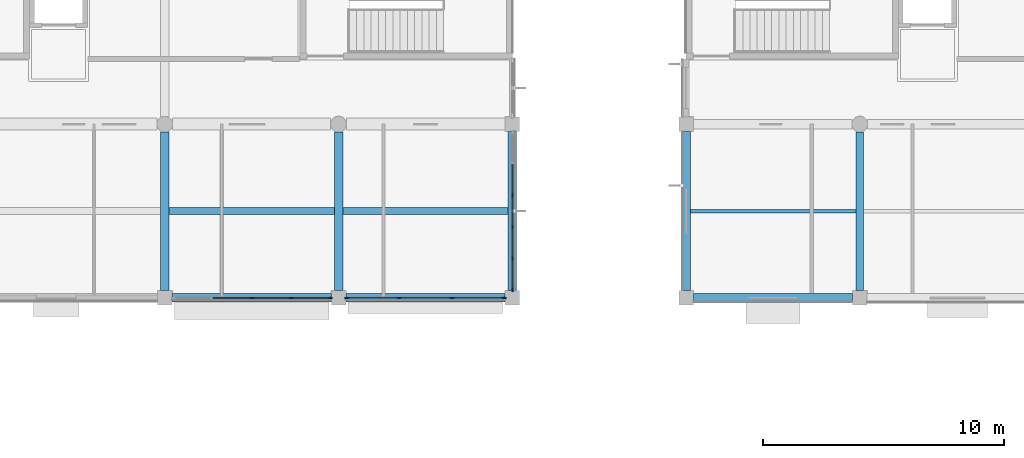
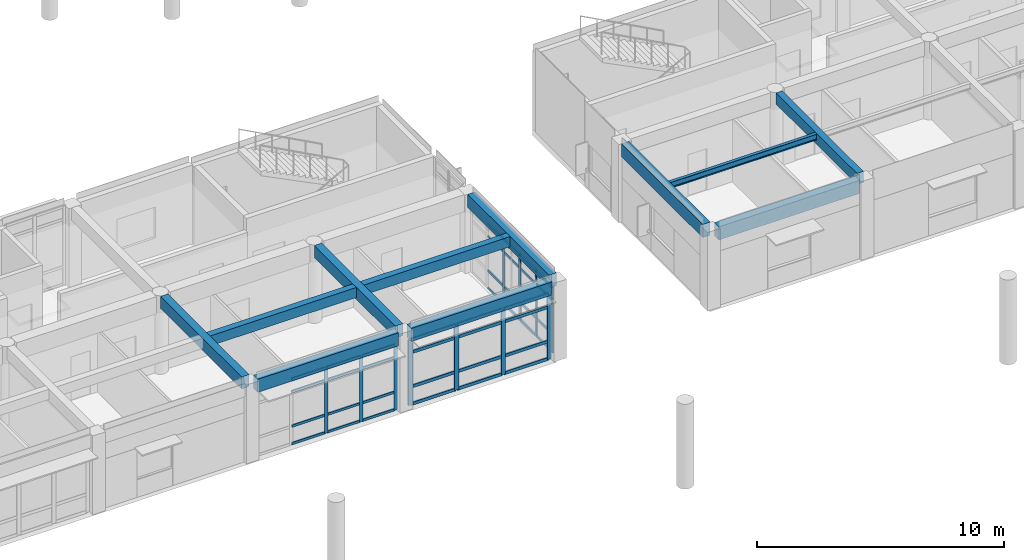
# One storey, part 5 of 55: 51 members, 11 beams, 3 elements without a shape of their own.
"""IFC4 building model written with IfcOpenShell, lengths in metres."""

from ifc_helpers import new_model, si_unit, direction, frame, origin, origin_2d, place, context, subcontext, project, spatial, rectangle, i_section, extrude, material, layer, layer_set, material_profile, profile_set, type_object, element, aggregate, save


model = new_model("IFC4")

# Units and contexts
model_context = context("Model", 3, precision=1e-05, world=origin(), true_north=direction((0.0, 1.0)))
body_context = subcontext(model_context, "Body", "Model", "MODEL_VIEW")
ifc_project = project(units=[si_unit("LENGTHUNIT", "METRE"), si_unit("AREAUNIT", "SQUARE_METRE"), si_unit("VOLUMEUNIT", "CUBIC_METRE"), si_unit("PLANEANGLEUNIT", "RADIAN"), si_unit("MASSUNIT", "GRAM", prefix="KILO")], contexts=[model_context])

# Site, building, storey
site_placement = place(None, origin())
site = spatial("IfcSite", under=ifc_project, at=site_placement, CompositionType="ELEMENT")
building_placement = place(site_placement, origin())
building = spatial("IfcBuilding", under=site, at=building_placement, Name="Namkhue Oval Health Centre", CompositionType="ELEMENT")
storey_placement = place(building_placement, frame((0.0, 0.0, 9.60009765625)))
storey = spatial("IfcBuildingStorey", under=building, at=storey_placement, Name="L02", CompositionType="ELEMENT", Elevation=9.60009765625)

# Curtain wall, members
ifc_material_1 = material(Name="Anodised aluminium EN AW-6063 T6", Category="aluminium")
ifc_layer_1 = layer(ifc_material_1, 0.159912109375)
ifc_layer_set_1 = layer_set([ifc_layer_1], Name="Anodised aluminium EN AW-6063 T6")
curtain_wall_type_1 = type_object("IfcCurtainWallType", Name="UNITISED CURTAIN WALL M1800", PredefinedType="NOTDEFINED", material=ifc_layer_set_1)
curtain_wall_1_placement = place(storey_placement, origin())
curtain_wall_1 = element("IfcCurtainWall", 1, at=curtain_wall_1_placement, inside=storey, type_object=curtain_wall_type_1, Name="Volume V4 L02 Unitised Curtain Wall 161", PredefinedType="NOTDEFINED")
ifc_material_profile_1 = material_profile(ifc_material_1, rectangle(XDim=0.06494140625, YDim=0.159912109375, at=origin_2d()), Name="ALU 65x160")
ifc_profile_set_1 = profile_set([ifc_material_profile_1], Name="Anodised aluminium EN AW-6063 T6")
member_type_1 = type_object("IfcMemberType", Name="CURTAIN WALL MULLION 65X160", PredefinedType="MULLION", material=ifc_profile_set_1)
member_1_placement = place(storey_placement, frame((75.60009765625, 14.39990234375, 0.0), z_axis=(0.0, 0.0, 1.0), x_axis=(0.0, 1.0, 0.0)))
member_1 = element("IfcMember", 2, at=member_1_placement, type_object=member_type_1, Name="CW-05 mullion 3", PredefinedType="MULLION", context=body_context, shape_type="SweptSolid", body=[
    extrude(rectangle(XDim=0.06494140625, YDim=0.159912109375, at=origin_2d()), origin(), (0.0, 0.0, 1.0), 3.25),
])
member_2_placement = place(storey_placement, frame((77.244384765625, 14.39990234375, 0.0), z_axis=(0.0, 0.0, 1.0), x_axis=(0.0, 1.0, 0.0)))
member_2 = element("IfcMember", 3, at=member_2_placement, type_object=member_type_1, Name="CW-05 mullion 4", PredefinedType="MULLION", context=body_context, shape_type="SweptSolid", body=[
    extrude(rectangle(XDim=0.06494140625, YDim=0.159912109375, at=origin_2d()), origin(), (0.0, 0.0, 1.0), 3.25),
])
member_3_placement = place(storey_placement, frame((78.8564453125, 14.39990234375, 0.0), z_axis=(0.0, 0.0, 1.0), x_axis=(0.0, 1.0, 0.0)))
member_3 = element("IfcMember", 4, at=member_3_placement, type_object=member_type_1, Name="CW-05 mullion 5", PredefinedType="MULLION", context=body_context, shape_type="SweptSolid", body=[
    extrude(rectangle(XDim=0.06494140625, YDim=0.159912109375, at=origin_2d()), origin(), (0.0, 0.0, 1.0), 3.25),
])

ifc_layer_2 = layer(ifc_material_1, 0.159912109375)
ifc_layer_set_2 = layer_set([ifc_layer_2], Name="Anodised aluminium EN AW-6063 T6")
curtain_wall_type_2 = type_object("IfcCurtainWallType", Name="UNITISED CURTAIN WALL M1200", PredefinedType="NOTDEFINED", material=ifc_layer_set_2)
curtain_wall_2_placement = place(storey_placement, origin())
curtain_wall_2 = element("IfcCurtainWall", 5, at=curtain_wall_2_placement, inside=storey, type_object=curtain_wall_type_2, Name="Volume V4 L02 Unitised Curtain Wall 163", PredefinedType="NOTDEFINED")
member_4_placement = place(storey_placement, frame((86.39990234375, 14.743408203125, 0.0), z_axis=(0.0, 0.0, 1.0), x_axis=(-1.0, 0.0, 0.0)))
member_4 = element("IfcMember", 6, at=member_4_placement, type_object=member_type_1, Name="CW-01 mullion 1", PredefinedType="MULLION", context=body_context, shape_type="SweptSolid", body=[
    extrude(rectangle(XDim=0.06494140625, YDim=0.159912109375, at=origin_2d()), origin(), (0.0, 0.0, 1.0), 3.25),
])
member_5_placement = place(storey_placement, frame((86.39990234375, 16.026611328125, 0.0), z_axis=(0.0, 0.0, 1.0), x_axis=(-1.0, 0.0, 0.0)))
member_5 = element("IfcMember", 7, at=member_5_placement, type_object=member_type_1, Name="CW-01 mullion 2", PredefinedType="MULLION", context=body_context, shape_type="SweptSolid", body=[
    extrude(rectangle(XDim=0.06494140625, YDim=0.159912109375, at=origin_2d()), origin(), (0.0, 0.0, 1.0), 3.25),
])
member_6_placement = place(storey_placement, frame((86.39990234375, 17.34228515625, 0.0), z_axis=(0.0, 0.0, 1.0), x_axis=(-1.0, 0.0, 0.0)))
member_6 = element("IfcMember", 8, at=member_6_placement, type_object=member_type_1, Name="CW-01 mullion 3", PredefinedType="MULLION", context=body_context, shape_type="SweptSolid", body=[
    extrude(rectangle(XDim=0.06494140625, YDim=0.159912109375, at=origin_2d()), origin(), (0.0, 0.0, 1.0), 3.25),
])
member_7_placement = place(storey_placement, frame((86.39990234375, 18.65771484375, 0.0), z_axis=(0.0, 0.0, 1.0), x_axis=(-1.0, 0.0, 0.0)))
member_7 = element("IfcMember", 9, at=member_7_placement, type_object=member_type_1, Name="CW-01 mullion 4", PredefinedType="MULLION", context=body_context, shape_type="SweptSolid", body=[
    extrude(rectangle(XDim=0.06494140625, YDim=0.159912109375, at=origin_2d()), origin(), (0.0, 0.0, 1.0), 3.25),
])

ifc_layer_3 = layer(ifc_material_1, 0.159912109375)
ifc_layer_set_3 = layer_set([ifc_layer_3], Name="Anodised aluminium EN AW-6063 T6")
curtain_wall_type_3 = type_object("IfcCurtainWallType", Name="UNITISED CURTAIN WALL M2000", PredefinedType="NOTDEFINED", material=ifc_layer_set_3)
curtain_wall_3_placement = place(storey_placement, origin())
curtain_wall_3 = element("IfcCurtainWall", 10, at=curtain_wall_3_placement, inside=storey, type_object=curtain_wall_type_3, Name="Volume V4 L02 Unitised Curtain Wall 162", PredefinedType="NOTDEFINED")
ifc_material_profile_2 = material_profile(ifc_material_1, rectangle(XDim=0.074951171875, YDim=0.199951171875, at=origin_2d()), Name="ALU 75x200")
ifc_profile_set_2 = profile_set([ifc_material_profile_2], Name="Anodised aluminium EN AW-6063 T6")
member_type_2 = type_object("IfcMemberType", Name="CURTAIN WALL MULLION 75X200", PredefinedType="MULLION", material=ifc_profile_set_2)
member_8_placement = place(storey_placement, frame((79.548583984375, 14.39990234375, 0.0), z_axis=(0.0, 0.0, 1.0), x_axis=(0.0, 1.0, 0.0)))
member_8 = element("IfcMember", 11, at=member_8_placement, type_object=member_type_2, Name="CW-06 mullion 1", PredefinedType="MULLION", context=body_context, shape_type="SweptSolid", body=[
    extrude(rectangle(XDim=0.074951171875, YDim=0.199951171875, at=origin_2d()), origin(), (0.0, 0.0, 1.0), 3.25),
])
member_9_placement = place(storey_placement, frame((81.70361328125, 14.39990234375, 0.0), z_axis=(0.0, 0.0, 1.0), x_axis=(0.0, 1.0, 0.0)))
member_9 = element("IfcMember", 12, at=member_9_placement, type_object=member_type_2, Name="CW-06 mullion 2", PredefinedType="MULLION", context=body_context, shape_type="SweptSolid", body=[
    extrude(rectangle(XDim=0.074951171875, YDim=0.199951171875, at=origin_2d()), origin(), (0.0, 0.0, 1.0), 3.25),
])
member_10_placement = place(storey_placement, frame((83.896240234375, 14.39990234375, 0.0), z_axis=(0.0, 0.0, 1.0), x_axis=(0.0, 1.0, 0.0)))
member_10 = element("IfcMember", 13, at=member_10_placement, type_object=member_type_2, Name="CW-06 mullion 3", PredefinedType="MULLION", context=body_context, shape_type="SweptSolid", body=[
    extrude(rectangle(XDim=0.074951171875, YDim=0.199951171875, at=origin_2d()), origin(), (0.0, 0.0, 1.0), 3.25),
])
member_11_placement = place(storey_placement, frame((86.051513671875, 14.39990234375, 0.0), z_axis=(0.0, 0.0, 1.0), x_axis=(0.0, 1.0, 0.0)))
member_11 = element("IfcMember", 14, at=member_11_placement, type_object=member_type_2, Name="CW-06 mullion 4", PredefinedType="MULLION", context=body_context, shape_type="SweptSolid", body=[
    extrude(rectangle(XDim=0.074951171875, YDim=0.199951171875, at=origin_2d()), origin(), (0.0, 0.0, 1.0), 3.25),
])

# Member
ifc_material_profile_3 = material_profile(ifc_material_1, rectangle(XDim=0.06494140625, YDim=0.1201171875, at=origin_2d()), Name="ALU 65x120")
ifc_profile_set_3 = profile_set([ifc_material_profile_3], Name="Anodised aluminium EN AW-6063 T6")
member_type_3 = type_object("IfcMemberType", Name="CURTAIN WALL TRANSOM 65X120", PredefinedType="USERDEFINED", material=ifc_profile_set_3)
member_12_placement = place(storey_placement, frame((73.988037109375, 14.39990234375, 0.032470703125), z_axis=(1.0, 0.0, 0.0), x_axis=(0.0, 1.0, 0.0)))
member_12 = element("IfcMember", 15, at=member_12_placement, type_object=member_type_3, Name="CW-05 transom 2.1", ObjectType="TRANSOM", PredefinedType="USERDEFINED", context=body_context, shape_type="SweptSolid", body=[
    extrude(rectangle(XDim=0.06494140625, YDim=0.1201171875, at=origin_2d()), origin(), (0.0, 0.0, 1.0), 1.579345703125),
])

member_13_placement = place(storey_placement, frame((73.988037109375, 14.39990234375, 0.89990234375), z_axis=(1.0, 0.0, 0.0), x_axis=(0.0, 1.0, 0.0)))
member_13 = element("IfcMember", 16, at=member_13_placement, type_object=member_type_3, Name="CW-05 transom 2.2", ObjectType="TRANSOM", PredefinedType="USERDEFINED", context=body_context, shape_type="SweptSolid", body=[
    extrude(rectangle(XDim=0.06494140625, YDim=0.1201171875, at=origin_2d()), origin(), (0.0, 0.0, 1.0), 1.579345703125),
])

member_14_placement = place(storey_placement, frame((73.988037109375, 14.39990234375, 2.599853515625), z_axis=(1.0, 0.0, 0.0), x_axis=(0.0, 1.0, 0.0)))
member_14 = element("IfcMember", 17, at=member_14_placement, type_object=member_type_3, Name="CW-05 transom 2.3", ObjectType="TRANSOM", PredefinedType="USERDEFINED", context=body_context, shape_type="SweptSolid", body=[
    extrude(rectangle(XDim=0.06494140625, YDim=0.1201171875, at=origin_2d()), origin(), (0.0, 0.0, 1.0), 1.579345703125),
])

member_15_placement = place(storey_placement, frame((73.988037109375, 14.39990234375, 3.21728515625), z_axis=(1.0, 0.0, 0.0), x_axis=(0.0, 1.0, 0.0)))
member_15 = element("IfcMember", 18, at=member_15_placement, type_object=member_type_3, Name="CW-05 transom 2.4", ObjectType="TRANSOM", PredefinedType="USERDEFINED", context=body_context, shape_type="SweptSolid", body=[
    extrude(rectangle(XDim=0.06494140625, YDim=0.1201171875, at=origin_2d()), origin(), (0.0, 0.0, 1.0), 1.579345703125),
])

member_16_placement = place(storey_placement, frame((75.632568359375, 14.39990234375, 0.032470703125), z_axis=(1.0, 0.0, 0.0), x_axis=(0.0, 1.0, 0.0)))
member_16 = element("IfcMember", 19, at=member_16_placement, type_object=member_type_3, Name="CW-05 transom 3.1", ObjectType="TRANSOM", PredefinedType="USERDEFINED", context=body_context, shape_type="SweptSolid", body=[
    extrude(rectangle(XDim=0.06494140625, YDim=0.1201171875, at=origin_2d()), origin(), (0.0, 0.0, 1.0), 1.579345703125),
])

member_17_placement = place(storey_placement, frame((75.632568359375, 14.39990234375, 0.89990234375), z_axis=(1.0, 0.0, 0.0), x_axis=(0.0, 1.0, 0.0)))
member_17 = element("IfcMember", 20, at=member_17_placement, type_object=member_type_3, Name="CW-05 transom 3.2", ObjectType="TRANSOM", PredefinedType="USERDEFINED", context=body_context, shape_type="SweptSolid", body=[
    extrude(rectangle(XDim=0.06494140625, YDim=0.1201171875, at=origin_2d()), origin(), (0.0, 0.0, 1.0), 1.579345703125),
])

member_18_placement = place(storey_placement, frame((75.632568359375, 14.39990234375, 2.599853515625), z_axis=(1.0, 0.0, 0.0), x_axis=(0.0, 1.0, 0.0)))
member_18 = element("IfcMember", 21, at=member_18_placement, type_object=member_type_3, Name="CW-05 transom 3.3", ObjectType="TRANSOM", PredefinedType="USERDEFINED", context=body_context, shape_type="SweptSolid", body=[
    extrude(rectangle(XDim=0.06494140625, YDim=0.1201171875, at=origin_2d()), origin(), (0.0, 0.0, 1.0), 1.579345703125),
])

member_19_placement = place(storey_placement, frame((75.632568359375, 14.39990234375, 3.21728515625), z_axis=(1.0, 0.0, 0.0), x_axis=(0.0, 1.0, 0.0)))
member_19 = element("IfcMember", 22, at=member_19_placement, type_object=member_type_3, Name="CW-05 transom 3.4", ObjectType="TRANSOM", PredefinedType="USERDEFINED", context=body_context, shape_type="SweptSolid", body=[
    extrude(rectangle(XDim=0.06494140625, YDim=0.1201171875, at=origin_2d()), origin(), (0.0, 0.0, 1.0), 1.579345703125),
])

member_20_placement = place(storey_placement, frame((77.277099609375, 14.39990234375, 0.032470703125), z_axis=(1.0, 0.0, 0.0), x_axis=(0.0, 1.0, 0.0)))
member_20 = element("IfcMember", 23, at=member_20_placement, type_object=member_type_3, Name="CW-05 transom 4.1", ObjectType="TRANSOM", PredefinedType="USERDEFINED", context=body_context, shape_type="SweptSolid", body=[
    extrude(rectangle(XDim=0.06494140625, YDim=0.1201171875, at=origin_2d()), origin(), (0.0, 0.0, 1.0), 1.546875),
])

member_21_placement = place(storey_placement, frame((77.277099609375, 14.39990234375, 0.89990234375), z_axis=(1.0, 0.0, 0.0), x_axis=(0.0, 1.0, 0.0)))
member_21 = element("IfcMember", 24, at=member_21_placement, type_object=member_type_3, Name="CW-05 transom 4.2", ObjectType="TRANSOM", PredefinedType="USERDEFINED", context=body_context, shape_type="SweptSolid", body=[
    extrude(rectangle(XDim=0.06494140625, YDim=0.1201171875, at=origin_2d()), origin(), (0.0, 0.0, 1.0), 1.546875),
])

member_22_placement = place(storey_placement, frame((77.277099609375, 14.39990234375, 2.599853515625), z_axis=(1.0, 0.0, 0.0), x_axis=(0.0, 1.0, 0.0)))
member_22 = element("IfcMember", 25, at=member_22_placement, type_object=member_type_3, Name="CW-05 transom 4.3", ObjectType="TRANSOM", PredefinedType="USERDEFINED", context=body_context, shape_type="SweptSolid", body=[
    extrude(rectangle(XDim=0.06494140625, YDim=0.1201171875, at=origin_2d()), origin(), (0.0, 0.0, 1.0), 1.546875),
])

member_23_placement = place(storey_placement, frame((77.277099609375, 14.39990234375, 3.21728515625), z_axis=(1.0, 0.0, 0.0), x_axis=(0.0, 1.0, 0.0)))
member_23 = element("IfcMember", 26, at=member_23_placement, type_object=member_type_3, Name="CW-05 transom 4.4", ObjectType="TRANSOM", PredefinedType="USERDEFINED", context=body_context, shape_type="SweptSolid", body=[
    extrude(rectangle(XDim=0.06494140625, YDim=0.1201171875, at=origin_2d()), origin(), (0.0, 0.0, 1.0), 1.546875),
])

aggregate(curtain_wall_1, [member_1, member_2, member_3, member_12, member_13, member_14, member_15, member_16, member_17, member_18, member_19, member_20, member_21, member_22, member_23])

member_24_placement = place(storey_placement, frame((86.39990234375, 14.77587890625, 0.032470703125), z_axis=(0.0, 1.0, 0.0), x_axis=(-1.0, 0.0, 0.0)))
member_24 = element("IfcMember", 27, at=member_24_placement, type_object=member_type_3, Name="CW-01 transom 1.1", ObjectType="TRANSOM", PredefinedType="USERDEFINED", context=body_context, shape_type="SweptSolid", body=[
    extrude(rectangle(XDim=0.06494140625, YDim=0.1201171875, at=origin_2d()), origin(), (0.0, 0.0, 1.0), 1.21826171875),
])

member_25_placement = place(storey_placement, frame((86.39990234375, 14.77587890625, 0.89990234375), z_axis=(0.0, 1.0, 0.0), x_axis=(-1.0, 0.0, 0.0)))
member_25 = element("IfcMember", 28, at=member_25_placement, type_object=member_type_3, Name="CW-01 transom 1.2", ObjectType="TRANSOM", PredefinedType="USERDEFINED", context=body_context, shape_type="SweptSolid", body=[
    extrude(rectangle(XDim=0.06494140625, YDim=0.1201171875, at=origin_2d()), origin(), (0.0, 0.0, 1.0), 1.21826171875),
])

member_26_placement = place(storey_placement, frame((86.39990234375, 14.77587890625, 2.599853515625), z_axis=(0.0, 1.0, 0.0), x_axis=(-1.0, 0.0, 0.0)))
member_26 = element("IfcMember", 29, at=member_26_placement, type_object=member_type_3, Name="CW-01 transom 1.3", ObjectType="TRANSOM", PredefinedType="USERDEFINED", context=body_context, shape_type="SweptSolid", body=[
    extrude(rectangle(XDim=0.06494140625, YDim=0.1201171875, at=origin_2d()), origin(), (0.0, 0.0, 1.0), 1.21826171875),
])

member_27_placement = place(storey_placement, frame((86.39990234375, 14.77587890625, 3.21728515625), z_axis=(0.0, 1.0, 0.0), x_axis=(-1.0, 0.0, 0.0)))
member_27 = element("IfcMember", 30, at=member_27_placement, type_object=member_type_3, Name="CW-01 transom 1.4", ObjectType="TRANSOM", PredefinedType="USERDEFINED", context=body_context, shape_type="SweptSolid", body=[
    extrude(rectangle(XDim=0.06494140625, YDim=0.1201171875, at=origin_2d()), origin(), (0.0, 0.0, 1.0), 1.21826171875),
])

member_28_placement = place(storey_placement, frame((86.39990234375, 16.05908203125, 0.032470703125), z_axis=(0.0, 1.0, 0.0), x_axis=(-1.0, 0.0, 0.0)))
member_28 = element("IfcMember", 31, at=member_28_placement, type_object=member_type_3, Name="CW-01 transom 2.1", ObjectType="TRANSOM", PredefinedType="USERDEFINED", context=body_context, shape_type="SweptSolid", body=[
    extrude(rectangle(XDim=0.06494140625, YDim=0.1201171875, at=origin_2d()), origin(), (0.0, 0.0, 1.0), 1.250732421875),
])

member_29_placement = place(storey_placement, frame((86.39990234375, 16.05908203125, 0.89990234375), z_axis=(0.0, 1.0, 0.0), x_axis=(-1.0, 0.0, 0.0)))
member_29 = element("IfcMember", 32, at=member_29_placement, type_object=member_type_3, Name="CW-01 transom 2.2", ObjectType="TRANSOM", PredefinedType="USERDEFINED", context=body_context, shape_type="SweptSolid", body=[
    extrude(rectangle(XDim=0.06494140625, YDim=0.1201171875, at=origin_2d()), origin(), (0.0, 0.0, 1.0), 1.250732421875),
])

member_30_placement = place(storey_placement, frame((86.39990234375, 16.05908203125, 2.599853515625), z_axis=(0.0, 1.0, 0.0), x_axis=(-1.0, 0.0, 0.0)))
member_30 = element("IfcMember", 33, at=member_30_placement, type_object=member_type_3, Name="CW-01 transom 2.3", ObjectType="TRANSOM", PredefinedType="USERDEFINED", context=body_context, shape_type="SweptSolid", body=[
    extrude(rectangle(XDim=0.06494140625, YDim=0.1201171875, at=origin_2d()), origin(), (0.0, 0.0, 1.0), 1.250732421875),
])

member_31_placement = place(storey_placement, frame((86.39990234375, 16.05908203125, 3.21728515625), z_axis=(0.0, 1.0, 0.0), x_axis=(-1.0, 0.0, 0.0)))
member_31 = element("IfcMember", 34, at=member_31_placement, type_object=member_type_3, Name="CW-01 transom 2.4", ObjectType="TRANSOM", PredefinedType="USERDEFINED", context=body_context, shape_type="SweptSolid", body=[
    extrude(rectangle(XDim=0.06494140625, YDim=0.1201171875, at=origin_2d()), origin(), (0.0, 0.0, 1.0), 1.250732421875),
])

member_32_placement = place(storey_placement, frame((86.39990234375, 17.374755859375, 0.032470703125), z_axis=(0.0, 1.0, 0.0), x_axis=(-1.0, 0.0, 0.0)))
member_32 = element("IfcMember", 35, at=member_32_placement, type_object=member_type_3, Name="CW-01 transom 3.1", ObjectType="TRANSOM", PredefinedType="USERDEFINED", context=body_context, shape_type="SweptSolid", body=[
    extrude(rectangle(XDim=0.06494140625, YDim=0.1201171875, at=origin_2d()), origin(), (0.0, 0.0, 1.0), 1.25048828125),
])

member_33_placement = place(storey_placement, frame((86.39990234375, 17.374755859375, 0.89990234375), z_axis=(0.0, 1.0, 0.0), x_axis=(-1.0, 0.0, 0.0)))
member_33 = element("IfcMember", 36, at=member_33_placement, type_object=member_type_3, Name="CW-01 transom 3.2", ObjectType="TRANSOM", PredefinedType="USERDEFINED", context=body_context, shape_type="SweptSolid", body=[
    extrude(rectangle(XDim=0.06494140625, YDim=0.1201171875, at=origin_2d()), origin(), (0.0, 0.0, 1.0), 1.25048828125),
])

member_34_placement = place(storey_placement, frame((86.39990234375, 17.374755859375, 2.599853515625), z_axis=(0.0, 1.0, 0.0), x_axis=(-1.0, 0.0, 0.0)))
member_34 = element("IfcMember", 37, at=member_34_placement, type_object=member_type_3, Name="CW-01 transom 3.3", ObjectType="TRANSOM", PredefinedType="USERDEFINED", context=body_context, shape_type="SweptSolid", body=[
    extrude(rectangle(XDim=0.06494140625, YDim=0.1201171875, at=origin_2d()), origin(), (0.0, 0.0, 1.0), 1.25048828125),
])

member_35_placement = place(storey_placement, frame((86.39990234375, 17.374755859375, 3.21728515625), z_axis=(0.0, 1.0, 0.0), x_axis=(-1.0, 0.0, 0.0)))
member_35 = element("IfcMember", 38, at=member_35_placement, type_object=member_type_3, Name="CW-01 transom 3.4", ObjectType="TRANSOM", PredefinedType="USERDEFINED", context=body_context, shape_type="SweptSolid", body=[
    extrude(rectangle(XDim=0.06494140625, YDim=0.1201171875, at=origin_2d()), origin(), (0.0, 0.0, 1.0), 1.25048828125),
])

member_36_placement = place(storey_placement, frame((86.39990234375, 18.690185546875, 0.032470703125), z_axis=(0.0, 1.0, 0.0), x_axis=(-1.0, 0.0, 0.0)))
member_36 = element("IfcMember", 39, at=member_36_placement, type_object=member_type_3, Name="CW-01 transom 4.1", ObjectType="TRANSOM", PredefinedType="USERDEFINED", context=body_context, shape_type="SweptSolid", body=[
    extrude(rectangle(XDim=0.06494140625, YDim=0.1201171875, at=origin_2d()), origin(), (0.0, 0.0, 1.0), 1.250732421875),
])

member_37_placement = place(storey_placement, frame((86.39990234375, 18.690185546875, 0.89990234375), z_axis=(0.0, 1.0, 0.0), x_axis=(-1.0, 0.0, 0.0)))
member_37 = element("IfcMember", 40, at=member_37_placement, type_object=member_type_3, Name="CW-01 transom 4.2", ObjectType="TRANSOM", PredefinedType="USERDEFINED", context=body_context, shape_type="SweptSolid", body=[
    extrude(rectangle(XDim=0.06494140625, YDim=0.1201171875, at=origin_2d()), origin(), (0.0, 0.0, 1.0), 1.250732421875),
])

member_38_placement = place(storey_placement, frame((86.39990234375, 18.690185546875, 2.599853515625), z_axis=(0.0, 1.0, 0.0), x_axis=(-1.0, 0.0, 0.0)))
member_38 = element("IfcMember", 41, at=member_38_placement, type_object=member_type_3, Name="CW-01 transom 4.3", ObjectType="TRANSOM", PredefinedType="USERDEFINED", context=body_context, shape_type="SweptSolid", body=[
    extrude(rectangle(XDim=0.06494140625, YDim=0.1201171875, at=origin_2d()), origin(), (0.0, 0.0, 1.0), 1.250732421875),
])

member_39_placement = place(storey_placement, frame((86.39990234375, 18.690185546875, 3.21728515625), z_axis=(0.0, 1.0, 0.0), x_axis=(-1.0, 0.0, 0.0)))
member_39 = element("IfcMember", 42, at=member_39_placement, type_object=member_type_3, Name="CW-01 transom 4.4", ObjectType="TRANSOM", PredefinedType="USERDEFINED", context=body_context, shape_type="SweptSolid", body=[
    extrude(rectangle(XDim=0.06494140625, YDim=0.1201171875, at=origin_2d()), origin(), (0.0, 0.0, 1.0), 1.250732421875),
])

aggregate(curtain_wall_2, [member_4, member_5, member_6, member_7, member_24, member_25, member_26, member_27, member_28, member_29, member_30, member_31, member_32, member_33, member_34, member_35, member_36, member_37, member_38, member_39])

ifc_material_profile_4 = material_profile(ifc_material_1, rectangle(XDim=0.074951171875, YDim=0.14990234375, at=origin_2d()), Name="ALU 75x150")
ifc_profile_set_4 = profile_set([ifc_material_profile_4], Name="Anodised aluminium EN AW-6063 T6")
member_type_4 = type_object("IfcMemberType", Name="CURTAIN WALL TRANSOM 75X150", PredefinedType="USERDEFINED", material=ifc_profile_set_4)
member_40_placement = place(storey_placement, frame((79.5859375, 14.39990234375, 0.037353515625), z_axis=(1.0, 0.0, 0.0), x_axis=(0.0, 1.0, 0.0)))
member_40 = element("IfcMember", 43, at=member_40_placement, type_object=member_type_4, Name="CW-06 transom 1.1", ObjectType="TRANSOM", PredefinedType="USERDEFINED", context=body_context, shape_type="SweptSolid", body=[
    extrude(rectangle(XDim=0.074951171875, YDim=0.14990234375, at=origin_2d()), origin(), (0.0, 0.0, 1.0), 2.080322265625),
])

member_41_placement = place(storey_placement, frame((79.5859375, 14.39990234375, 0.89990234375), z_axis=(1.0, 0.0, 0.0), x_axis=(0.0, 1.0, 0.0)))
member_41 = element("IfcMember", 44, at=member_41_placement, type_object=member_type_4, Name="CW-06 transom 1.2", ObjectType="TRANSOM", PredefinedType="USERDEFINED", context=body_context, shape_type="SweptSolid", body=[
    extrude(rectangle(XDim=0.074951171875, YDim=0.14990234375, at=origin_2d()), origin(), (0.0, 0.0, 1.0), 2.080322265625),
])

member_42_placement = place(storey_placement, frame((79.5859375, 14.39990234375, 2.599853515625), z_axis=(1.0, 0.0, 0.0), x_axis=(0.0, 1.0, 0.0)))
member_42 = element("IfcMember", 45, at=member_42_placement, type_object=member_type_4, Name="CW-06 transom 1.3", ObjectType="TRANSOM", PredefinedType="USERDEFINED", context=body_context, shape_type="SweptSolid", body=[
    extrude(rectangle(XDim=0.074951171875, YDim=0.14990234375, at=origin_2d()), origin(), (0.0, 0.0, 1.0), 2.080322265625),
])

member_43_placement = place(storey_placement, frame((79.5859375, 14.39990234375, 3.21240234375), z_axis=(1.0, 0.0, 0.0), x_axis=(0.0, 1.0, 0.0)))
member_43 = element("IfcMember", 46, at=member_43_placement, type_object=member_type_4, Name="CW-06 transom 1.4", ObjectType="TRANSOM", PredefinedType="USERDEFINED", context=body_context, shape_type="SweptSolid", body=[
    extrude(rectangle(XDim=0.074951171875, YDim=0.14990234375, at=origin_2d()), origin(), (0.0, 0.0, 1.0), 2.080322265625),
])

member_44_placement = place(storey_placement, frame((81.7412109375, 14.39990234375, 0.037353515625), z_axis=(1.0, 0.0, 0.0), x_axis=(0.0, 1.0, 0.0)))
member_44 = element("IfcMember", 47, at=member_44_placement, type_object=member_type_4, Name="CW-06 transom 2.1", ObjectType="TRANSOM", PredefinedType="USERDEFINED", context=body_context, shape_type="SweptSolid", body=[
    extrude(rectangle(XDim=0.074951171875, YDim=0.14990234375, at=origin_2d()), origin(), (0.0, 0.0, 1.0), 2.11767578125),
])

member_45_placement = place(storey_placement, frame((81.7412109375, 14.39990234375, 0.89990234375), z_axis=(1.0, 0.0, 0.0), x_axis=(0.0, 1.0, 0.0)))
member_45 = element("IfcMember", 48, at=member_45_placement, type_object=member_type_4, Name="CW-06 transom 2.2", ObjectType="TRANSOM", PredefinedType="USERDEFINED", context=body_context, shape_type="SweptSolid", body=[
    extrude(rectangle(XDim=0.074951171875, YDim=0.14990234375, at=origin_2d()), origin(), (0.0, 0.0, 1.0), 2.11767578125),
])

member_46_placement = place(storey_placement, frame((81.7412109375, 14.39990234375, 2.599853515625), z_axis=(1.0, 0.0, 0.0), x_axis=(0.0, 1.0, 0.0)))
member_46 = element("IfcMember", 49, at=member_46_placement, type_object=member_type_4, Name="CW-06 transom 2.3", ObjectType="TRANSOM", PredefinedType="USERDEFINED", context=body_context, shape_type="SweptSolid", body=[
    extrude(rectangle(XDim=0.074951171875, YDim=0.14990234375, at=origin_2d()), origin(), (0.0, 0.0, 1.0), 2.11767578125),
])

member_47_placement = place(storey_placement, frame((81.7412109375, 14.39990234375, 3.21240234375), z_axis=(1.0, 0.0, 0.0), x_axis=(0.0, 1.0, 0.0)))
member_47 = element("IfcMember", 50, at=member_47_placement, type_object=member_type_4, Name="CW-06 transom 2.4", ObjectType="TRANSOM", PredefinedType="USERDEFINED", context=body_context, shape_type="SweptSolid", body=[
    extrude(rectangle(XDim=0.074951171875, YDim=0.14990234375, at=origin_2d()), origin(), (0.0, 0.0, 1.0), 2.11767578125),
])

member_48_placement = place(storey_placement, frame((83.933837890625, 14.39990234375, 0.037353515625), z_axis=(1.0, 0.0, 0.0), x_axis=(0.0, 1.0, 0.0)))
member_48 = element("IfcMember", 51, at=member_48_placement, type_object=member_type_4, Name="CW-06 transom 3.1", ObjectType="TRANSOM", PredefinedType="USERDEFINED", context=body_context, shape_type="SweptSolid", body=[
    extrude(rectangle(XDim=0.074951171875, YDim=0.14990234375, at=origin_2d()), origin(), (0.0, 0.0, 1.0), 2.080078125),
])

member_49_placement = place(storey_placement, frame((83.933837890625, 14.39990234375, 0.89990234375), z_axis=(1.0, 0.0, 0.0), x_axis=(0.0, 1.0, 0.0)))
member_49 = element("IfcMember", 52, at=member_49_placement, type_object=member_type_4, Name="CW-06 transom 3.2", ObjectType="TRANSOM", PredefinedType="USERDEFINED", context=body_context, shape_type="SweptSolid", body=[
    extrude(rectangle(XDim=0.074951171875, YDim=0.14990234375, at=origin_2d()), origin(), (0.0, 0.0, 1.0), 2.080078125),
])

member_50_placement = place(storey_placement, frame((83.933837890625, 14.39990234375, 2.599853515625), z_axis=(1.0, 0.0, 0.0), x_axis=(0.0, 1.0, 0.0)))
member_50 = element("IfcMember", 53, at=member_50_placement, type_object=member_type_4, Name="CW-06 transom 3.3", ObjectType="TRANSOM", PredefinedType="USERDEFINED", context=body_context, shape_type="SweptSolid", body=[
    extrude(rectangle(XDim=0.074951171875, YDim=0.14990234375, at=origin_2d()), origin(), (0.0, 0.0, 1.0), 2.080078125),
])

member_51_placement = place(storey_placement, frame((83.933837890625, 14.39990234375, 3.21240234375), z_axis=(1.0, 0.0, 0.0), x_axis=(0.0, 1.0, 0.0)))
member_51 = element("IfcMember", 54, at=member_51_placement, type_object=member_type_4, Name="CW-06 transom 3.4", ObjectType="TRANSOM", PredefinedType="USERDEFINED", context=body_context, shape_type="SweptSolid", body=[
    extrude(rectangle(XDim=0.074951171875, YDim=0.14990234375, at=origin_2d()), origin(), (0.0, 0.0, 1.0), 2.080078125),
])

aggregate(curtain_wall_3, [member_8, member_9, member_10, member_11, member_40, member_41, member_42, member_43, member_44, member_45, member_46, member_47, member_48, member_49, member_50, member_51])

# Beams
ifc_material_2 = material(Name="Reinforced concrete C30/37 (TCVN B35)", Category="concrete")
ifc_material_profile_5 = material_profile(ifc_material_2, rectangle(XDim=0.300048828125, YDim=0.550048828125, at=origin_2d()), Name="RC 300x550")
ifc_profile_set_5 = profile_set([ifc_material_profile_5], Name="Reinforced concrete C30/37 (TCVN B35)")
beam_type_1 = type_object("IfcBeamType", Name="FLOOR BEAM RC 300X550", PredefinedType="BEAM", material=ifc_profile_set_5)
beam_1_placement = place(storey_placement, frame((100.800048828125, 14.699951171875, 3.60986328125), z_axis=(0.0, 1.0, 0.0), x_axis=(-1.0, 0.0, 0.0)))
element("IfcBeam", 55, at=beam_1_placement, inside=storey, type_object=beam_type_1, Name="Volume V5 L03 Beam 15/C-D", PredefinedType="BEAM", context=body_context, shape_type="SweptSolid", body=[
    extrude(rectangle(XDim=0.300048828125, YDim=0.550048828125, at=origin_2d()), origin(), (0.0, 0.0, 1.0), 6.574951171875),
])
ifc_material_profile_6 = material_profile(ifc_material_2, rectangle(XDim=0.35009765625, YDim=0.60009765625, at=origin_2d()), Name="RC 350x600")
ifc_profile_set_6 = profile_set([ifc_material_profile_6], Name="Reinforced concrete C30/37 (TCVN B35)")
beam_type_2 = type_object("IfcBeamType", Name="FLOOR BEAM RC 350X600", PredefinedType="BEAM", material=ifc_profile_set_6)
for number, where, z_axis, x_axis, name in (
    (56, (72.0, 14.699951171875, 3.599853515625), (0.0, 1.0, 0.0), (-1.0, 0.0, 0.0), "Volume V4 L03 Beam 11/C-D"),
    (57, (79.199951171875, 14.699951171875, 3.599853515625), (0.0, 1.0, 0.0), (-1.0, 0.0, 0.0), "Volume V4 L03 Beam 12/C-D"),
):
    element("IfcBeam", number, at=place(storey_placement, frame(where, z_axis=z_axis, x_axis=x_axis)), inside=storey, type_object=beam_type_2, Name=name, PredefinedType="BEAM", context=body_context, shape_type="SweptSolid", body=[
        extrude(rectangle(XDim=0.35009765625, YDim=0.60009765625, at=origin_2d()), origin(), (0.0, 0.0, 1.0), 6.574951171875),
    ])
ifc_material_3 = material(Name="Reinforced concrete C35/45 (TCVN B40)", Category="concrete")
ifc_material_profile_7 = material_profile(ifc_material_3, rectangle(XDim=0.35009765625, YDim=0.64990234375, at=origin_2d()), Name="RC 350x650")
ifc_profile_set_7 = profile_set([ifc_material_profile_7], Name="Reinforced concrete C35/45 (TCVN B40)")
beam_type_3 = type_object("IfcBeamType", Name="PERIMETER SPANDREL BEAM 350X650", PredefinedType="SPANDREL", material=ifc_profile_set_7)
beam_2_placement = place(storey_placement, frame((72.300048828125, 14.39990234375, 3.574951171875), z_axis=(1.0, 0.0, 0.0), x_axis=(0.0, 1.0, 0.0)))
element("IfcBeam", 58, at=beam_2_placement, inside=storey, type_object=beam_type_3, Name="Volume V4 L03 Girder C/11-12", PredefinedType="SPANDREL", context=body_context, shape_type="SweptSolid", body=[
    extrude(rectangle(XDim=0.35009765625, YDim=0.64990234375, at=origin_2d()), origin(), (0.0, 0.0, 1.0), 6.599853515625),
])
for number, where, z_axis, x_axis, name in (
    (59, (79.5, 14.39990234375, 3.574951171875), (1.0, 0.0, 0.0), (0.0, 1.0, 0.0), "Volume V4 L03 Girder C/12-13"),
    (60, (86.39990234375, 14.699951171875, 3.574951171875), (0.0, 1.0, 0.0), (-1.0, 0.0, 0.0), "Volume V4 L03 Beam 13/C-D"),
    (61, (93.89990234375, 14.39990234375, 3.559814453125), (1.0, 0.0, 0.0), (0.0, 1.0, 0.0), "Volume V5 L03 Girder C/14-15"),
    (62, (93.60009765625, 14.699951171875, 3.559814453125), (0.0, 1.0, 0.0), (-1.0, 0.0, 0.0), "Volume V5 L03 Beam 14/C-D"),
):
    element("IfcBeam", number, at=place(storey_placement, frame(where, z_axis=z_axis, x_axis=x_axis)), inside=storey, type_object=beam_type_3, Name=name, PredefinedType="SPANDREL", context=body_context, shape_type="SweptSolid", body=[
        extrude(rectangle(XDim=0.35009765625, YDim=0.64990234375, at=origin_2d()), origin(), (0.0, 0.0, 1.0), 6.60009765625),
    ])
ifc_material_profile_8 = material_profile(ifc_material_2, rectangle(XDim=0.300048828125, YDim=0.5, at=origin_2d()), Name="RC 300x500")
ifc_profile_set_8 = profile_set([ifc_material_profile_8], Name="Reinforced concrete C30/37 (TCVN B35)")
beam_type_4 = type_object("IfcBeamType", Name="SECONDARY JOIST RC 300X500", PredefinedType="JOIST", material=ifc_profile_set_8)
beam_3_placement = place(storey_placement, frame((72.175048828125, 18.0, 3.64990234375), z_axis=(1.0, 0.0, 0.0), x_axis=(0.0, 1.0, 0.0)))
element("IfcBeam", 63, at=beam_3_placement, inside=storey, type_object=beam_type_4, Name="Volume V4 L03 Secondary Joist 11-12", PredefinedType="JOIST", context=body_context, shape_type="SweptSolid", body=[
    extrude(rectangle(XDim=0.300048828125, YDim=0.5, at=origin_2d()), origin(), (0.0, 0.0, 1.0), 6.849853515625),
])
beam_4_placement = place(storey_placement, frame((79.375, 18.0, 3.64990234375), z_axis=(1.0, 0.0, 0.0), x_axis=(0.0, 1.0, 0.0)))
element("IfcBeam", 64, at=beam_4_placement, inside=storey, type_object=beam_type_4, Name="Volume V4 L03 Secondary Joist 12-13", PredefinedType="JOIST", context=body_context, shape_type="SweptSolid", body=[
    extrude(rectangle(XDim=0.300048828125, YDim=0.5, at=origin_2d()), origin(), (0.0, 0.0, 1.0), 6.85009765625),
])
ifc_material_4 = material(Name="Structural steel EN 10025-2 S355JR (TCVN 5575:2024)", Category="steel")
ifc_material_profile_9 = material_profile(ifc_material_4, i_section(OverallWidth=0.14990234375, OverallDepth=0.300048828125, WebThickness=0.007080078125, FlangeThickness=0.0107421875, FilletRadius=0.014892578125, at=origin_2d()), Name="IPE 300")
ifc_profile_set_9 = profile_set([ifc_material_profile_9], Name="Structural steel EN 10025-2 S355JR (TCVN 5575:2024)")
beam_type_5 = type_object("IfcBeamType", Name="SECONDARY JOIST STEEL IPE 300", PredefinedType="JOIST", material=ifc_profile_set_9)
beam_5_placement = place(storey_placement, frame((93.77490234375, 18.0, 3.73486328125), z_axis=(1.0, 0.0, 0.0), x_axis=(0.0, 1.0, 0.0)))
element("IfcBeam", 65, at=beam_5_placement, inside=storey, type_object=beam_type_5, Name="Volume V5 L03 Secondary Joist 14-15", PredefinedType="JOIST", context=body_context, shape_type="SweptSolid", body=[
    extrude(i_section(OverallWidth=0.14990234375, OverallDepth=0.300048828125, WebThickness=0.007080078125, FlangeThickness=0.0107421875, FilletRadius=0.014892578125, at=origin_2d()), origin(), (0.0, 0.0, 1.0), 6.875),
])

save(model, "model.ifc")
